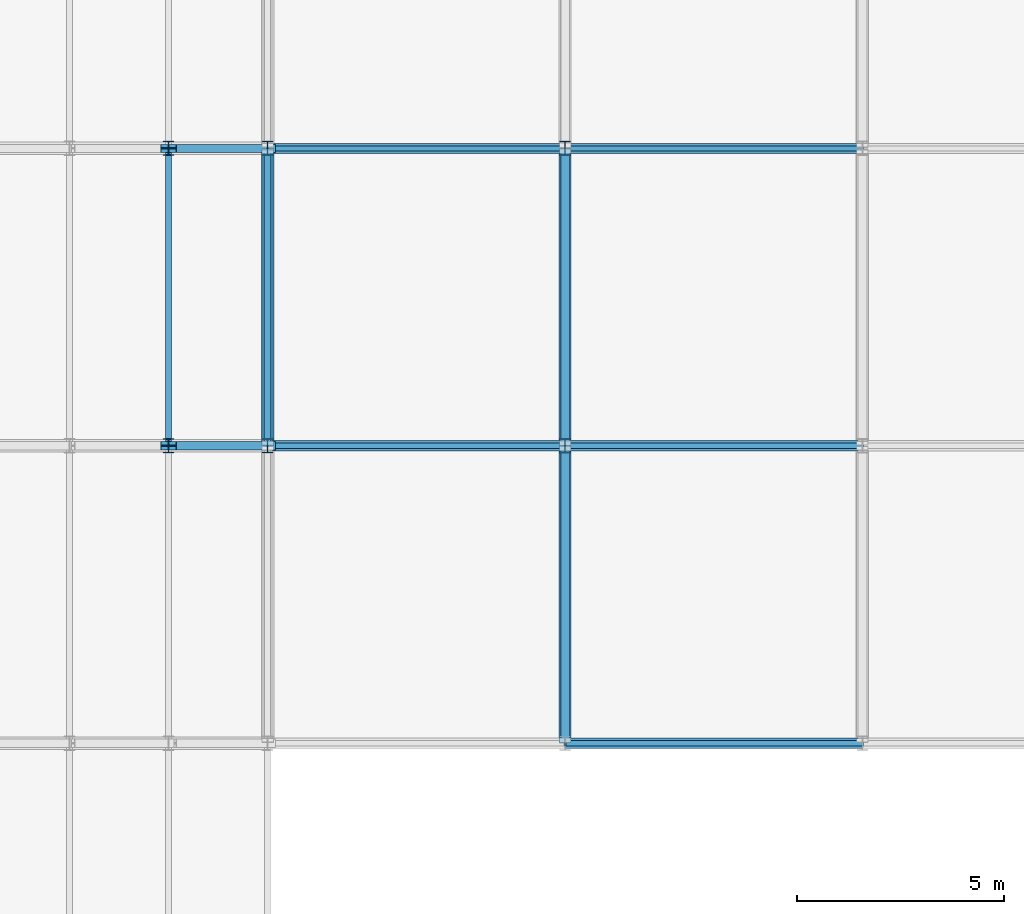
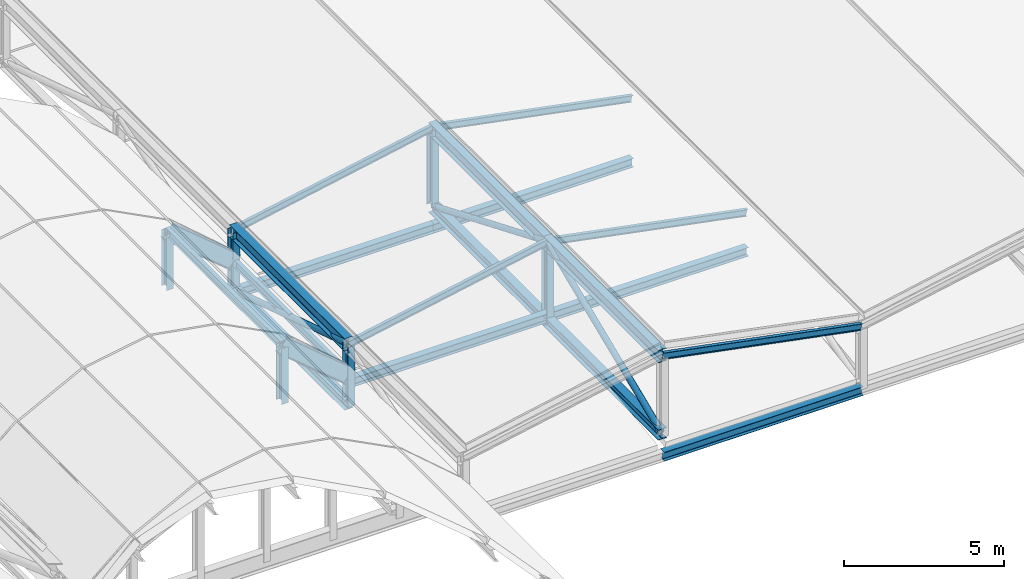
# One storey, part 34 of 60: 24 members, 5 beams.
"""IFC4 building model written with IfcOpenShell, lengths in metres."""

from ifc_helpers import new_model, si_unit, direction, frame, origin, origin_2d, place, context, subcontext, project, spatial, hollow_circle, i_section, extrude, material, material_profile, profile_set, type_object, element, save


model = new_model("IFC4")

# Units and contexts
model_context = context("Model", 3, precision=1e-05, world=origin(), true_north=direction((0.0, 1.0)))
body_context = subcontext(model_context, "Body", "Model", "MODEL_VIEW")
ifc_project = project(units=[si_unit("LENGTHUNIT", "METRE"), si_unit("AREAUNIT", "SQUARE_METRE"), si_unit("VOLUMEUNIT", "CUBIC_METRE"), si_unit("PLANEANGLEUNIT", "RADIAN"), si_unit("MASSUNIT", "GRAM", prefix="KILO")], contexts=[model_context])

# Site, building, storey
site_placement = place(None, origin())
site = spatial("IfcSite", under=ifc_project, at=site_placement, CompositionType="ELEMENT")
building_placement = place(site_placement, origin())
building = spatial("IfcBuilding", under=site, at=building_placement, Name="Vesperath Aquatics Centre", CompositionType="ELEMENT")
storey_placement = place(building_placement, frame((0.0, 0.0, 27.60009765625)))
storey = spatial("IfcBuildingStorey", under=building, at=storey_placement, Name="RF", CompositionType="ELEMENT", Elevation=27.60009765625)

# Beams
ifc_material_1 = material(Name="Steel Q355C", Category="steel")
ifc_material_profile_1 = material_profile(ifc_material_1, i_section(OverallWidth=0.25, OverallDepth=0.340087890625, WebThickness=0.009033203125, FlangeThickness=0.013916015625, FilletRadius=0.02001953125, at=origin_2d()), Name="HM 340x250x9x14")
ifc_profile_set_1 = profile_set([ifc_material_profile_1], Name="Steel Q355C")
beam_type_1 = type_object("IfcBeamType", Name="BM-RB04", PredefinedType="BEAM", material=ifc_profile_set_1)
beam_1_placement = place(storey_placement, frame((115.199951171875, 79.199951171875, -12.60498046875), z_axis=(1.0, 0.0, 0.0), x_axis=(0.0, 1.0, 0.0)))
element("IfcBeam", 1, at=beam_1_placement, inside=storey, type_object=beam_type_1, Name="Training Roof Support Beam B12 17-79.2", PredefinedType="BEAM", context=body_context, shape_type="SweptSolid", body=[
    extrude(i_section(OverallWidth=0.25, OverallDepth=0.340087890625, WebThickness=0.009033203125, FlangeThickness=0.013916015625, FilletRadius=0.02001953125, at=origin_2d()), origin(), (0.0, 0.0, 1.0), 7.199951171875),
])
for number, where, z_axis, x_axis, name in (
    (2, (122.39990234375, 64.800048828125, -12.60498046875), (1.0, 0.0, 0.0), (0.0, 1.0, 0.0), "Training Roof Support Beam B12 18-64.8"),
    (3, (122.39990234375, 79.199951171875, -12.60498046875), (1.0, 0.0, 0.0), (0.0, 1.0, 0.0), "Training Roof Support Beam B12 18-79.2"),
):
    element("IfcBeam", number, at=place(storey_placement, frame(where, z_axis=z_axis, x_axis=x_axis)), inside=storey, type_object=beam_type_1, Name=name, PredefinedType="BEAM", context=body_context, shape_type="SweptSolid", body=[
        extrude(i_section(OverallWidth=0.25, OverallDepth=0.340087890625, WebThickness=0.009033203125, FlangeThickness=0.013916015625, FilletRadius=0.02001953125, at=origin_2d()), origin(), (0.0, 0.0, 1.0), 7.2001953125),
    ])
ifc_material_profile_2 = material_profile(ifc_material_1, i_section(OverallWidth=0.25, OverallDepth=0.340087890625, WebThickness=0.009033203125, FlangeThickness=0.013916015625, FilletRadius=0.02001953125, at=origin_2d()), Name="HM 340x250x9x14")
ifc_profile_set_2 = profile_set([ifc_material_profile_2], Name="Steel Q355C")
beam_type_2 = type_object("IfcBeamType", Name="BM-RB05", PredefinedType="BEAM", material=ifc_profile_set_2)
beam_2_placement = place(storey_placement, frame((115.199951171875, 72.0, -11.644287109375), z_axis=(1.0, 0.0, 0.0), x_axis=(0.0, 1.0, 0.0)))
element("IfcBeam", 4, at=beam_2_placement, inside=storey, type_object=beam_type_2, Name="Training Roof Support Beam B12 17-72.0", PredefinedType="BEAM", context=body_context, shape_type="SweptSolid", body=[
    extrude(i_section(OverallWidth=0.25, OverallDepth=0.340087890625, WebThickness=0.009033203125, FlangeThickness=0.013916015625, FilletRadius=0.02001953125, at=origin_2d()), origin(), (0.0, 0.0, 1.0), 7.199951171875),
])
beam_3_placement = place(storey_placement, frame((122.39990234375, 72.0, -11.644287109375), z_axis=(1.0, 0.0, 0.0), x_axis=(0.0, 1.0, 0.0)))
element("IfcBeam", 5, at=beam_3_placement, inside=storey, type_object=beam_type_2, Name="Training Roof Support Beam B12 18-72.0", PredefinedType="BEAM", context=body_context, shape_type="SweptSolid", body=[
    extrude(i_section(OverallWidth=0.25, OverallDepth=0.340087890625, WebThickness=0.009033203125, FlangeThickness=0.013916015625, FilletRadius=0.02001953125, at=origin_2d()), origin(), (0.0, 0.0, 1.0), 7.2001953125),
])

# Members
ifc_material_2 = material(Name="Steel Q355D", Category="steel")
ifc_material_profile_3 = material_profile(ifc_material_2, i_section(OverallWidth=0.199951171875, OverallDepth=0.60009765625, WebThickness=0.010986328125, FlangeThickness=0.01708984375, FilletRadius=0.02197265625, at=origin_2d()), Name="HN 600x200x11x17")
ifc_profile_set_3 = profile_set([ifc_material_profile_3], Name="Steel Q355D")
member_type_1 = type_object("IfcMemberType", Name="MB-AR01", PredefinedType="RAFTER", material=ifc_profile_set_3)
for number, where, z_axis, x_axis, name in (
    (6, (112.800048828125, 72.0, -9.400146484375), (0.768208468069, 0.0, -0.640199773186), (0.0, 1.0, 0.0), "Conservatory Vault Arch Rib AR01 L-6"),
    (7, (112.800048828125, 79.199951171875, -9.400146484375), (0.768208468069, 0.0, -0.640199773186), (0.0, 1.0, 0.0), "Conservatory Vault Arch Rib AR01 M-6"),
):
    element("IfcMember", number, at=place(storey_placement, frame(where, z_axis=z_axis, x_axis=x_axis)), inside=storey, type_object=member_type_1, Name=name, PredefinedType="RAFTER", context=body_context, shape_type="SweptSolid", body=[
        extrude(i_section(OverallWidth=0.199951171875, OverallDepth=0.60009765625, WebThickness=0.010986328125, FlangeThickness=0.01708984375, FilletRadius=0.02197265625, at=origin_2d()), origin(), (0.0, 0.0, 1.0), 3.1240234375),
    ])
ifc_material_profile_4 = material_profile(ifc_material_2, i_section(OverallWidth=0.300048828125, OverallDepth=0.389892578125, WebThickness=0.010009765625, FlangeThickness=0.01611328125, FilletRadius=0.02197265625, at=origin_2d()), Name="HM 390x300x10x16")
ifc_profile_set_4 = profile_set([ifc_material_profile_4], Name="Steel Q355D")
member_type_2 = type_object("IfcMemberType", Name="MB-BC03", PredefinedType="CHORD", material=ifc_profile_set_4)
for number, where, z_axis, x_axis, name in (
    (8, (115.199951171875, 72.0, -12.5), (0.0, 1.0, 0.0), (-1.0, 0.0, 0.0), "Training Hall ROOF TRUSS Bottom Chord BC03 G17-2"),
    (9, (122.39990234375, 64.800048828125, -11.800048828125), (0.0, 1.0, 0.0), (-1.0, 0.0, 0.0), "Training Hall ROOF TRUSS Bottom Chord BC03 G18-1"),
    (10, (122.39990234375, 72.0, -11.800048828125), (0.0, 1.0, 0.0), (-1.0, 0.0, 0.0), "Training Hall ROOF TRUSS Bottom Chord BC03 G18-2"),
):
    element("IfcMember", number, at=place(storey_placement, frame(where, z_axis=z_axis, x_axis=x_axis)), inside=storey, type_object=member_type_2, Name=name, PredefinedType="CHORD", context=body_context, shape_type="SweptSolid", body=[
        extrude(i_section(OverallWidth=0.300048828125, OverallDepth=0.389892578125, WebThickness=0.010009765625, FlangeThickness=0.01611328125, FilletRadius=0.02197265625, at=origin_2d()), origin(), (0.0, 0.0, 1.0), 7.199951171875),
    ])
ifc_material_profile_5 = material_profile(ifc_material_1, i_section(OverallWidth=0.14990234375, OverallDepth=0.300048828125, WebThickness=0.006591796875, FlangeThickness=0.009033203125, FilletRadius=0.012939453125, at=origin_2d()), Name="HN 300x150x6.5x9")
ifc_profile_set_5 = profile_set([ifc_material_profile_5], Name="Steel Q355C")
member_type_3 = type_object("IfcMemberType", Name="MB-PR02", PredefinedType="PURLIN", material=ifc_profile_set_5)
for number, where, z_axis, x_axis, name in (
    (11, (112.800048828125, 72.0, -9.400146484375), (0.0, 1.0, 0.0), (-1.0, 0.0, 0.0), "Conservatory Vault Purlin PR02 L-6"),
    (12, (115.199951171875, 72.0, -11.400146484375), (0.0, 1.0, 0.0), (-1.0, 0.0, 0.0), "Conservatory Vault Purlin PR02 L-7"),
):
    element("IfcMember", number, at=place(storey_placement, frame(where, z_axis=z_axis, x_axis=x_axis)), inside=storey, type_object=member_type_3, Name=name, PredefinedType="PURLIN", context=body_context, shape_type="SweptSolid", body=[
        extrude(i_section(OverallWidth=0.14990234375, OverallDepth=0.300048828125, WebThickness=0.006591796875, FlangeThickness=0.009033203125, FilletRadius=0.012939453125, at=origin_2d()), origin(), (0.0, 0.0, 1.0), 7.199951171875),
    ])
ifc_material_profile_6 = material_profile(ifc_material_1, i_section(OverallWidth=0.125, OverallDepth=0.25, WebThickness=0.006103515625, FlangeThickness=0.009033203125, FilletRadius=0.010009765625, at=origin_2d()), Name="HN 250x125x6x9")
ifc_profile_set_6 = profile_set([ifc_material_profile_6], Name="Steel Q355C")
member_type_4 = type_object("IfcMemberType", Name="MB-PR03", PredefinedType="PURLIN", material=ifc_profile_set_6)
for number, where, z_axis, x_axis, name in (
    (13, (115.199951171875, 72.0, -10.2001953125), (0.98161140514, 0.0, 0.190890149825), (0.0, 1.0, 0.0), "Training Hall Roof Purlin PR03 17-2"),
    (14, (115.199951171875, 79.199951171875, -10.2001953125), (0.98161140514, 0.0, 0.190890149825), (0.0, 1.0, 0.0), "Training Hall Roof Purlin PR03 17-3"),
):
    element("IfcMember", number, at=place(storey_placement, frame(where, z_axis=z_axis, x_axis=x_axis)), inside=storey, type_object=member_type_4, Name=name, PredefinedType="PURLIN", context=body_context, shape_type="SweptSolid", body=[
        extrude(i_section(OverallWidth=0.125, OverallDepth=0.25, WebThickness=0.006103515625, FlangeThickness=0.009033203125, FilletRadius=0.010009765625, at=origin_2d()), origin(), (0.0, 0.0, 1.0), 7.334716796875),
    ])
for number, where, z_axis, x_axis, name in (
    (15, (122.39990234375, 64.800048828125, -8.800048828125), (0.981612617958, 0.0, -0.190883913061), (0.0, 1.0, 0.0), "Training Hall Roof Purlin PR03 18-1"),
    (16, (122.39990234375, 72.0, -8.800048828125), (0.981612617958, 0.0, -0.190883913061), (0.0, 1.0, 0.0), "Training Hall Roof Purlin PR03 18-2"),
    (17, (122.39990234375, 79.199951171875, -8.800048828125), (0.981612617958, 0.0, -0.190883913061), (0.0, 1.0, 0.0), "Training Hall Roof Purlin PR03 18-3"),
):
    element("IfcMember", number, at=place(storey_placement, frame(where, z_axis=z_axis, x_axis=x_axis)), inside=storey, type_object=member_type_4, Name=name, PredefinedType="PURLIN", context=body_context, shape_type="SweptSolid", body=[
        extrude(i_section(OverallWidth=0.125, OverallDepth=0.25, WebThickness=0.006103515625, FlangeThickness=0.009033203125, FilletRadius=0.010009765625, at=origin_2d()), origin(), (0.0, 0.0, 1.0), 7.3349609375),
    ])
ifc_material_profile_7 = material_profile(ifc_material_2, i_section(OverallWidth=0.300048828125, OverallDepth=0.488037109375, WebThickness=0.010986328125, FlangeThickness=0.01806640625, FilletRadius=0.02587890625, at=origin_2d()), Name="HM 488x300x11x18")
ifc_profile_set_7 = profile_set([ifc_material_profile_7], Name="Steel Q355D")
member_type_5 = type_object("IfcMemberType", Name="MB-TC04", PredefinedType="CHORD", material=ifc_profile_set_7)
for number, where, z_axis, x_axis, name in (
    (18, (115.199951171875, 72.0, -10.2001953125), (0.0, 1.0, 0.0), (-1.0, 0.0, 0.0), "Training Hall ROOF TRUSS Top Chord TC04 G17-2"),
    (19, (122.39990234375, 64.800048828125, -8.800048828125), (0.0, 1.0, 0.0), (-1.0, 0.0, 0.0), "Training Hall ROOF TRUSS Top Chord TC04 G18-1"),
    (20, (122.39990234375, 72.0, -8.800048828125), (0.0, 1.0, 0.0), (-1.0, 0.0, 0.0), "Training Hall ROOF TRUSS Top Chord TC04 G18-2"),
):
    element("IfcMember", number, at=place(storey_placement, frame(where, z_axis=z_axis, x_axis=x_axis)), inside=storey, type_object=member_type_5, Name=name, PredefinedType="CHORD", context=body_context, shape_type="SweptSolid", body=[
        extrude(i_section(OverallWidth=0.300048828125, OverallDepth=0.488037109375, WebThickness=0.010986328125, FlangeThickness=0.01806640625, FilletRadius=0.02587890625, at=origin_2d()), origin(), (0.0, 0.0, 1.0), 7.199951171875),
    ])
ifc_material_profile_8 = material_profile(ifc_material_2, hollow_circle(Radius=0.109619140625, WallThickness=0.010009765625, at=origin_2d()), Name="CHS 219.1x10")
ifc_profile_set_8 = profile_set([ifc_material_profile_8], Name="Steel Q355D")
member_type_6 = type_object("IfcMemberType", Name="MB-TD04", PredefinedType="BRACE", material=ifc_profile_set_8)
member_placement = place(storey_placement, frame((115.199951171875, 72.076171875, -10.224365234375), z_axis=(0.0, 0.952571930303, -0.304313518594), x_axis=(-1.0, 0.0, 0.0)))
element("IfcMember", 21, at=member_placement, inside=storey, type_object=member_type_6, Name="Training Hall ROOF TRUSS Diagonal TD04 G17-2", PredefinedType="BRACE", context=body_context, shape_type="SweptSolid", body=[
    extrude(hollow_circle(Radius=0.109619140625, WallThickness=0.010009765625, at=origin_2d()), origin(), (0.0, 0.0, 1.0), 7.3984375),
])
for number, where, z_axis, x_axis, name in (
    (22, (122.39990234375, 64.873779296875, -11.769287109375), (0.0, 0.923079759281, 0.384608577655), (-1.0, 0.0, 0.0), "Training Hall ROOF TRUSS Diagonal TD04 G18-1"),
    (23, (122.39990234375, 72.07373046875, -8.830810546875), (0.0, 0.923079759281, -0.384608577655), (-1.0, 0.0, 0.0), "Training Hall ROOF TRUSS Diagonal TD04 G18-2"),
):
    element("IfcMember", number, at=place(storey_placement, frame(where, z_axis=z_axis, x_axis=x_axis)), inside=storey, type_object=member_type_6, Name=name, PredefinedType="BRACE", context=body_context, shape_type="SweptSolid", body=[
        extrude(hollow_circle(Radius=0.109619140625, WallThickness=0.010009765625, at=origin_2d()), origin(), (0.0, 0.0, 1.0), 7.64013671875),
    ])
ifc_material_profile_9 = material_profile(ifc_material_2, i_section(OverallWidth=0.25, OverallDepth=0.340087890625, WebThickness=0.009033203125, FlangeThickness=0.013916015625, FilletRadius=0.02001953125, at=origin_2d()), Name="HM 340x250x9x14")
ifc_profile_set_9 = profile_set([ifc_material_profile_9], Name="Steel Q355D")
member_type_7 = type_object("IfcMemberType", Name="MB-TP02", PredefinedType="POST", material=ifc_profile_set_9)
for number, where, z_axis, x_axis, name in (
    (24, (115.199951171875, 72.0, -12.5), (0.0, 0.0, 1.0), (1.0, 0.0, 0.0), "Training Hall ROOF TRUSS Post TP02 G17-2"),
    (25, (115.199951171875, 79.199951171875, -12.5), (0.0, 0.0, 1.0), (1.0, 0.0, 0.0), "Training Hall ROOF TRUSS Post TP02 G17-3"),
):
    element("IfcMember", number, at=place(storey_placement, frame(where, z_axis=z_axis, x_axis=x_axis)), inside=storey, type_object=member_type_7, Name=name, PredefinedType="POST", context=body_context, shape_type="SweptSolid", body=[
        extrude(i_section(OverallWidth=0.25, OverallDepth=0.340087890625, WebThickness=0.009033203125, FlangeThickness=0.013916015625, FilletRadius=0.02001953125, at=origin_2d()), origin(), (0.0, 0.0, 1.0), 2.2998046875),
    ])
for number, where, z_axis, x_axis, name in (
    (26, (122.39990234375, 72.0, -11.800048828125), (0.0, 0.0, 1.0), (1.0, 0.0, 0.0), "Training Hall ROOF TRUSS Post TP02 G18-2"),
    (27, (122.39990234375, 79.199951171875, -11.800048828125), (0.0, 0.0, 1.0), (1.0, 0.0, 0.0), "Training Hall ROOF TRUSS Post TP02 G18-3"),
):
    element("IfcMember", number, at=place(storey_placement, frame(where, z_axis=z_axis, x_axis=x_axis)), inside=storey, type_object=member_type_7, Name=name, PredefinedType="POST", context=body_context, shape_type="SweptSolid", body=[
        extrude(i_section(OverallWidth=0.25, OverallDepth=0.340087890625, WebThickness=0.009033203125, FlangeThickness=0.013916015625, FilletRadius=0.02001953125, at=origin_2d()), origin(), (0.0, 0.0, 1.0), 3.0),
    ])
for number, where, z_axis, x_axis, name in (
    (28, (112.800048828125, 72.0, -11.550048828125), (0.0, 0.0, 1.0), (1.0, 0.0, 0.0), "Conservatory Vault Post TP02 L-5"),
    (29, (112.800048828125, 79.199951171875, -11.550048828125), (0.0, 0.0, 1.0), (1.0, 0.0, 0.0), "Conservatory Vault Post TP02 M-5"),
):
    element("IfcMember", number, at=place(storey_placement, frame(where, z_axis=z_axis, x_axis=x_axis)), inside=storey, type_object=member_type_7, Name=name, PredefinedType="POST", context=body_context, shape_type="SweptSolid", body=[
        extrude(i_section(OverallWidth=0.25, OverallDepth=0.340087890625, WebThickness=0.009033203125, FlangeThickness=0.013916015625, FilletRadius=0.02001953125, at=origin_2d()), origin(), (0.0, 0.0, 1.0), 2.14990234375),
    ])

save(model, "model.ifc")
